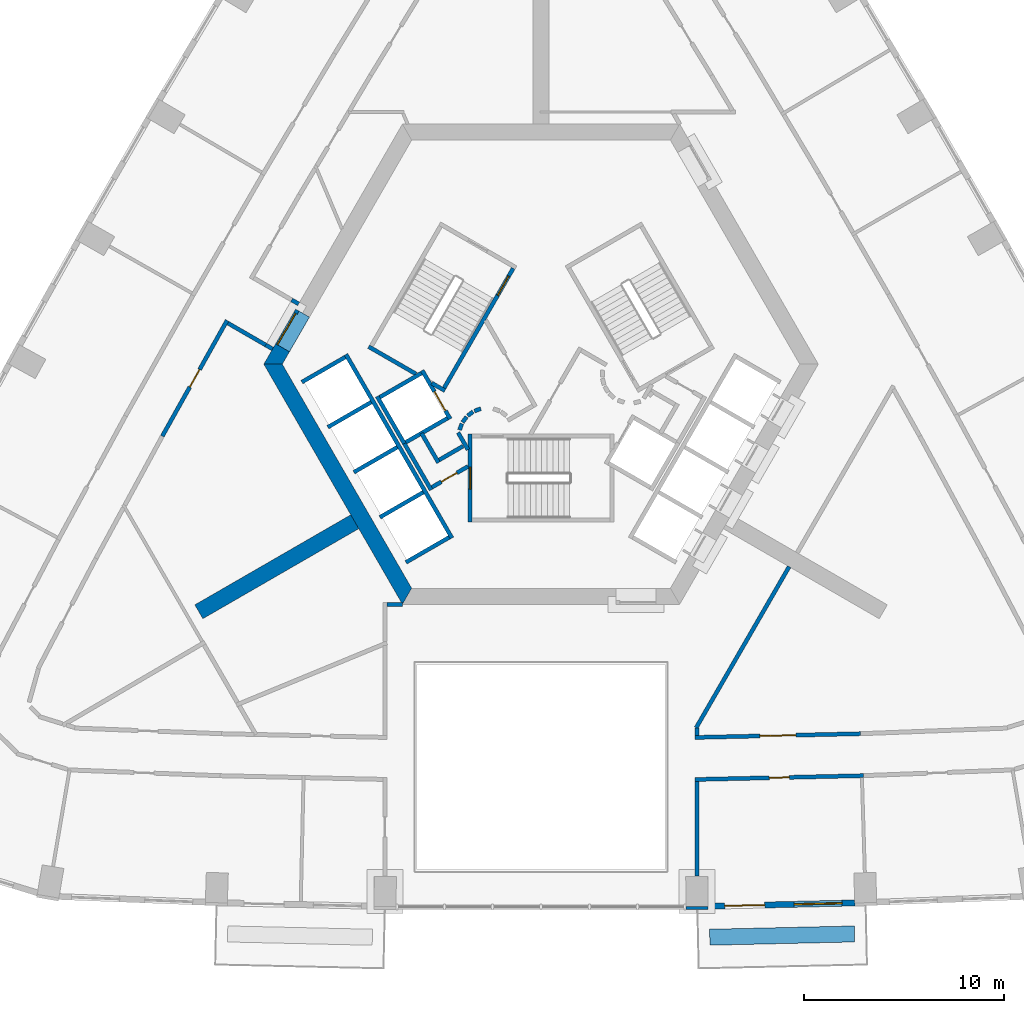
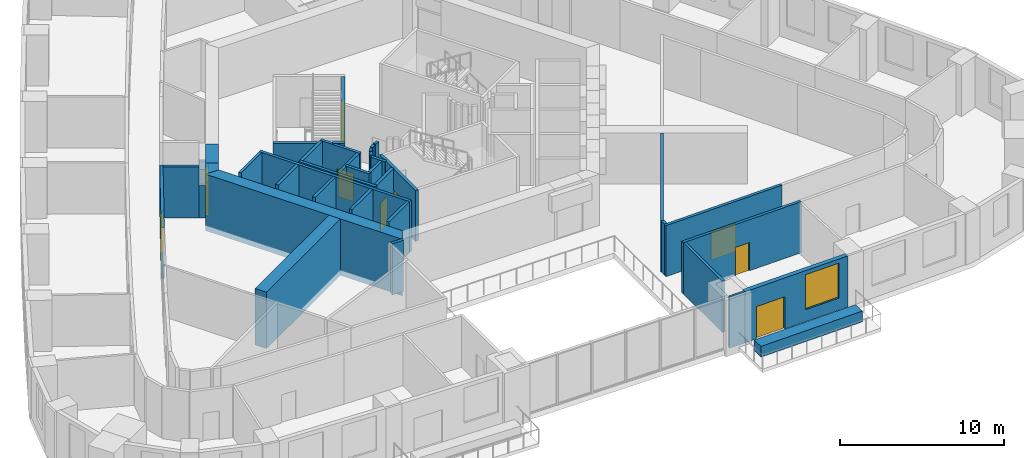
# One storey, part 5 of 12: 41 walls, 9 doors, 1 window, 10 openings.
"""IFC4 building model written with IfcOpenShell, lengths in metres."""

from ifc_helpers import new_model, si_unit, direction, frame, frame_2d, origin, place, context, subcontext, project, spatial, polyline, rectangle, outline, extrude, material, layer, layer_set, type_object, element, fill, save


model = new_model("IFC4")

# Units and contexts
model_context = context("Model", 3, precision=1e-05, world=origin(), true_north=direction((0.0, 1.0)))
body_context = subcontext(model_context, "Body", "Model", "MODEL_VIEW")
ifc_project = project(units=[si_unit("LENGTHUNIT", "METRE"), si_unit("AREAUNIT", "SQUARE_METRE"), si_unit("VOLUMEUNIT", "CUBIC_METRE"), si_unit("PLANEANGLEUNIT", "RADIAN"), si_unit("MASSUNIT", "GRAM", prefix="KILO")], contexts=[model_context])

# Site, building, storey
site_placement = place(None, origin())
site = spatial("IfcSite", under=ifc_project, at=site_placement, CompositionType="ELEMENT")
building_placement = place(site_placement, origin())
building = spatial("IfcBuilding", under=site, at=building_placement, Name="Entoto Arch Interchange Tower", CompositionType="ELEMENT")
storey_placement = place(building_placement, frame((0.0, 0.0, 155.0)))
storey = spatial("IfcBuildingStorey", under=building, at=storey_placement, Name="L34", CompositionType="ELEMENT", Elevation=155.0)

# Wall
ifc_material_1 = material(Name="Concrete C50/60", Category="concrete")
ifc_layer_1 = layer(ifc_material_1, 0.800048828125)
ifc_layer_set_1 = layer_set([ifc_layer_1], Name="Concrete C50/60")
wall_type_1 = type_object("IfcWallType", Name="Buttress wall 800 C50/60", PredefinedType="SHEAR", material=ifc_layer_set_1)
wall_1_placement = place(storey_placement, frame((-9.31005859375, -5.375, -0.39990234375), z_axis=(0.0, 0.0, 1.0), x_axis=(-0.866017533419, -0.500013631625, 0.0)))
element("IfcWall", 1, at=wall_1_placement, inside=storey, type_object=wall_type_1, Name="Buttress wall SW L34", PredefinedType="SHEAR", context=body_context, shape_type="SweptSolid", body=[
    extrude(rectangle(XDim=8.999755859375, YDim=0.800048828125, at=frame_2d((4.5, 0.0))), origin(), (0.0, 0.0, 1.0), 4.199951171875),
])

# Wall, opening, door
ifc_material_2 = material(Name="Reinforced concrete C40/50", Category="concrete")
ifc_layer_2 = layer(ifc_material_2, 0.199951171875)
ifc_layer_set_2 = layer_set([ifc_layer_2], Name="Reinforced concrete C40/50")
wall_type_2 = type_object("IfcWallType", Name="CORE GAP INFILL WALL", PredefinedType="PARTITIONING", material=ifc_layer_set_2)
wall_2_placement = place(storey_placement, frame((-12.179931640625, 5.201904296875, 0.0), z_axis=(0.0, 0.0, 1.0), x_axis=(-0.50002537861, -0.866010750942, 0.0)))
wall_2 = element("IfcWall", 2, at=wall_2_placement, inside=storey, type_object=wall_type_2, Name="wall:L34:gap3", PredefinedType="PARTITIONING", context=body_context, shape_type="SweptSolid", body=[
    extrude(rectangle(XDim=2.0, YDim=0.199951171875, at=frame_2d((1.0, 0.0))), origin(), (0.0, 0.0, 1.0), 2.39990234375),
])
opening_1_placement = place(wall_2_placement, frame((0.18994140625, 0.0, 0.0)))
opening_1 = element("IfcOpeningElement", 3, at=opening_1_placement, cuts=wall_2, Name="Opening L34-D93", PredefinedType="OPENING", context=body_context, shape_type="SweptSolid", body=[
    extrude(rectangle(XDim=1.800048828125, YDim=2.10009765625, at=frame_2d((0.89990234375, 1.050048828125))), frame((0.0, 0.10986328125, 0.0), z_axis=(0.0, -1.0, 0.0), x_axis=(1.0, 0.0, 0.0)), (0.0, 0.0, 1.0), 0.219970703125),
])
ifc_material_3 = material(Name="Fire-rated Steel S235 door and frame", Category="steel")
door_type_1 = type_object("IfcDoorType", Name="DOOR FD-18 1800x2100", OperationType="DOUBLE_DOOR_SINGLE_SWING", PredefinedType="DOOR", material=ifc_material_3)
door_1_placement = place(opening_1_placement, origin())
door_1 = element("IfcDoor", 4, at=door_1_placement, inside=storey, type_object=door_type_1, Name="door:L34:gap3", OperationType="DOUBLE_DOOR_SINGLE_SWING", OverallHeight=2.10009765625, OverallWidth=1.800048828125, PredefinedType="DOOR", context=body_context, shape_type="SweptSolid", body=[
    extrude(rectangle(XDim=1.800048828125, YDim=2.10009765625, at=frame_2d((0.89990234375, 1.050048828125))), frame((0.0, 0.02490234375, 0.0), z_axis=(0.0, -1.0, 0.0), x_axis=(1.0, 0.0, 0.0)), (0.0, 0.0, 1.0), 0.050048828125),
])
fill(opening_1, door_1)

# Walls
ifc_layer_3 = layer(ifc_material_1, 0.800048828125)
ifc_layer_set_3 = layer_set([ifc_layer_3], Name="Concrete C50/60")
wall_type_3 = type_object("IfcWallType", Name="Core wall 800 C50/60", PredefinedType="SHEAR", material=ifc_layer_set_3)
wall_3_placement = place(storey_placement, frame((0.0, 0.0, -0.39990234375)))
element("IfcWall", 5, at=wall_3_placement, inside=storey, type_object=wall_type_3, Name="Core wall NW L34", PredefinedType="SHEAR", context=body_context, shape_type="SweptSolid", body=[
    extrude(outline(polyline([(-12.574951171875, 3.1201171875), (-13.26708984375, 3.52001953125), (-13.85595703125, 2.5), (-12.93310546875, 2.5), (-12.574951171875, 3.1201171875)])), origin(), (0.0, 0.0, 1.0), 4.199951171875),
])
wall_4_placement = place(storey_placement, frame((0.0, 0.0, 3.60009765625)))
element("IfcWall", 6, at=wall_4_placement, inside=storey, type_object=wall_type_3, Name="Core wall lintel NW L34", PredefinedType="SHEAR", context=body_context, shape_type="SweptSolid", body=[
    extrude(outline(polyline([(-13.26708984375, 3.52001953125), (-12.574951171875, 3.1201171875), (-11.574951171875, 4.85205078125), (-12.26708984375, 5.251953125), (-13.26708984375, 3.52001953125)])), origin(), (0.0, 0.0, 1.0), 0.199951171875),
])
wall_5_placement = place(storey_placement, frame((0.0, 0.0, -0.39990234375)))
element("IfcWall", 7, at=wall_5_placement, inside=storey, type_object=wall_type_3, Name="Core wall SW L34", PredefinedType="SHEAR", context=body_context, shape_type="SweptSolid", body=[
    extrude(outline(polyline([(-13.85595703125, 2.5), (-6.927978515625, -9.5), (-6.466064453125, -8.699951171875), (-12.93310546875, 2.5), (-13.85595703125, 2.5)])), origin(), (0.0, 0.0, 1.0), 4.199951171875),
])

# Wall, opening, door
ifc_material_4 = material(Name="Concrete C40/50", Category="concrete")
ifc_layer_4 = layer(ifc_material_4, 0.199951171875)
ifc_layer_set_4 = layer_set([ifc_layer_4], Name="Concrete C40/50")
wall_type_4 = type_object("IfcWallType", Name="LIFT SHAFT WALL 200", PredefinedType="STANDARD", material=ifc_layer_set_4)
wall_6_placement = place(storey_placement, frame((-5.93994140625, 2.18798828125, 0.0), z_axis=(0.0, 0.0, 1.0), x_axis=(0.49994636267, -0.866056369097, 0.0)))
wall_6 = element("IfcWall", 8, at=wall_6_placement, inside=storey, type_object=wall_type_4, Name="Shaft wall SW1 front", PredefinedType="STANDARD", context=body_context, shape_type="SweptSolid", body=[
    extrude(rectangle(XDim=2.800048828125, YDim=0.199951171875, at=frame_2d((1.39990234375, 0.0))), origin(), (0.0, 0.0, 1.0), 3.800048828125),
])
opening_2_placement = place(wall_6_placement, frame((1.22509765625, 0.0, 0.0)))
opening_2 = element("IfcOpeningElement", 9, at=opening_2_placement, cuts=wall_6, Name="Opening LD-FF2-L34", PredefinedType="OPENING", context=body_context, shape_type="SweptSolid", body=[
    extrude(rectangle(XDim=1.10009765625, YDim=2.10009765625, at=frame_2d((0.550048828125, 1.050048828125))), frame((0.0, 0.10986328125, 0.0), z_axis=(0.0, -1.0, 0.0), x_axis=(1.0, 0.0, 0.0)), (0.0, 0.0, 1.0), 0.219970703125),
])
ifc_material_5 = material(Name="Stainless steel 1.4301 panels", Category="steel")
door_type_2 = type_object("IfcDoorType", Name="LIFT LANDING DOOR LD1 1100x2100", OperationType="SLIDING_TO_LEFT", PredefinedType="DOOR", material=ifc_material_5)
door_2_placement = place(opening_2_placement, origin())
door_2 = element("IfcDoor", 10, at=door_2_placement, inside=storey, type_object=door_type_2, Name="Lift landing door FF2 L34", OperationType="SLIDING_TO_LEFT", OverallHeight=2.10009765625, OverallWidth=1.10009765625, PredefinedType="DOOR", context=body_context, shape_type="SweptSolid", body=[
    extrude(rectangle(XDim=1.10009765625, YDim=2.10009765625, at=frame_2d((0.550048828125, 1.050048828125))), frame((0.0, 0.02490234375, 0.0), z_axis=(0.0, -1.0, 0.0), x_axis=(1.0, 0.0, 0.0)), (0.0, 0.0, 1.0), 0.050048828125),
])
fill(opening_2, door_2)

# Walls
wall_7_placement = place(storey_placement, frame((-8.19189453125, 0.887939453125, 0.0), z_axis=(0.0, 0.0, 1.0), x_axis=(0.49994636267, -0.866056369097, 0.0)))
element("IfcWall", 11, at=wall_7_placement, inside=storey, type_object=wall_type_4, Name="Shaft wall SW1 back", PredefinedType="STANDARD", context=body_context, shape_type="SweptSolid", body=[
    extrude(rectangle(XDim=2.800048828125, YDim=0.199951171875, at=frame_2d((1.39990234375, 0.0))), origin(), (0.0, 0.0, 1.0), 3.800048828125),
])
for number, where, z_axis, x_axis, name in (
    (12, (-5.97705078125, 2.052001953125, 0.0), (0.0, 0.0, 1.0), (-0.865973769406, -0.500089422704, 0.0), "Shaft wall SW1 cross 1"),
    (13, (-4.677001953125, -0.199951171875, 0.0), (0.0, 0.0, 1.0), (-0.865973769406, -0.500089422704, 0.0), "Shaft wall SW1 cross 2"),
):
    element("IfcWall", number, at=place(storey_placement, frame(where, z_axis=z_axis, x_axis=x_axis)), inside=storey, type_object=wall_type_4, Name=name, PredefinedType="STANDARD", context=body_context, shape_type="SweptSolid", body=[
        extrude(rectangle(XDim=2.3994140625, YDim=0.199951171875, at=frame_2d((1.19970703125, 0.0))), origin(), (0.0, 0.0, 1.0), 3.800048828125),
    ])
wall_8_placement = place(storey_placement, frame((-9.7509765625, 2.989990234375, 0.0), z_axis=(0.0, 0.0, 1.0), x_axis=(0.50000090737, -0.866024879913, 0.0)))
element("IfcWall", 14, at=wall_8_placement, inside=storey, type_object=wall_type_4, Name="Shaft wall SW3 front", PredefinedType="STANDARD", context=body_context, shape_type="SweptSolid", body=[
    extrude(rectangle(XDim=10.60009765625, YDim=0.199951171875, at=frame_2d((5.300048828125, 0.0))), origin(), (0.0, 0.0, 1.0), 3.800048828125),
])
wall_9_placement = place(storey_placement, frame((-9.7880859375, 2.85302734375, 0.0), z_axis=(0.0, 0.0, 1.0), x_axis=(-0.865998541277, -0.500046524342, 0.0)))
element("IfcWall", 15, at=wall_9_placement, inside=storey, type_object=wall_type_4, Name="Shaft wall SW3 cross 1", PredefinedType="STANDARD", context=body_context, shape_type="SweptSolid", body=[
    extrude(rectangle(XDim=2.499755859375, YDim=0.199951171875, at=frame_2d((1.25, 0.0))), origin(), (0.0, 0.0, 1.0), 3.800048828125),
])
for number, where, z_axis, x_axis, name in (
    (16, (-8.488037109375, 0.60205078125, 0.0), (0.0, 0.0, 1.0), (-0.866022959057, -0.500004234368, 0.0), "Shaft wall SW3 cross 2"),
    (17, (-7.18798828125, -1.64990234375, 0.0), (0.0, 0.0, 1.0), (-0.866022959057, -0.500004234368, 0.0), "Shaft wall SW3 cross 3"),
    (18, (-5.887939453125, -3.902099609375, 0.0), (0.0, 0.0, 1.0), (-0.866022959057, -0.500004234368, 0.0), "Shaft wall SW3 cross 4"),
    (19, (-4.587890625, -6.153076171875, 0.0), (0.0, 0.0, 1.0), (-0.866022959057, -0.500004234368, 0.0), "Shaft wall SW3 cross 5"),
):
    element("IfcWall", number, at=place(storey_placement, frame(where, z_axis=z_axis, x_axis=x_axis)), inside=storey, type_object=wall_type_4, Name=name, PredefinedType="STANDARD", context=body_context, shape_type="SweptSolid", body=[
        extrude(rectangle(XDim=2.5, YDim=0.199951171875, at=frame_2d((1.25, 0.0))), origin(), (0.0, 0.0, 1.0), 3.800048828125),
    ])

# Wall, opening, door
ifc_material_6 = material(Name="Gypsum board partition on steel studs", Category="steel")
ifc_layer_5 = layer(ifc_material_6, 0.199951171875)
ifc_layer_set_5 = layer_set([ifc_layer_5], Name="Gypsum board partition on steel studs")
wall_type_5 = type_object("IfcWallType", Name="PARTITION 200", PredefinedType="PARTITIONING", material=ifc_layer_set_5)
wall_10_placement = place(storey_placement, frame((7.699951171875, -16.156982421875, 0.0), z_axis=(0.0, 0.0, 1.0), x_axis=(0.999744539931, 0.022602098978, 0.0)))
wall_10 = element("IfcWall", 20, at=wall_10_placement, inside=storey, type_object=wall_type_5, Name="wall:L34:p020", PredefinedType="PARTITIONING", context=body_context, shape_type="SweptSolid", body=[
    extrude(rectangle(XDim=8.274169921875, YDim=0.199951171875, at=frame_2d((4.13720703125, 0.0))), origin(), (0.0, 0.0, 1.0), 3.800048828125),
])
opening_3_placement = place(wall_10_placement, frame((3.237060546875, 0.0, 0.0)))
opening_3 = element("IfcOpeningElement", 21, at=opening_3_placement, cuts=wall_10, Name="Opening L34-D18", PredefinedType="OPENING", context=body_context, shape_type="SweptSolid", body=[
    extrude(rectangle(XDim=1.800048828125, YDim=2.10009765625, at=frame_2d((0.89990234375, 1.050048828125))), frame((0.0, 0.10986328125, 0.0), z_axis=(0.0, -1.0, 0.0), x_axis=(1.0, 0.0, 0.0)), (0.0, 0.0, 1.0), 0.219970703125),
])
ifc_material_7 = material(Name="Timber door leaf in Steel S235 frame", Category="steel")
door_type_3 = type_object("IfcDoorType", Name="DOOR DD-18 1800x2100", OperationType="DOUBLE_DOOR_SINGLE_SWING", PredefinedType="DOOR", material=ifc_material_7)
door_3_placement = place(opening_3_placement, origin())
door_3 = element("IfcDoor", 22, at=door_3_placement, inside=storey, type_object=door_type_3, Name="door:L34:18", OperationType="DOUBLE_DOOR_SINGLE_SWING", OverallHeight=2.10009765625, OverallWidth=1.800048828125, PredefinedType="DOOR", context=body_context, shape_type="SweptSolid", body=[
    extrude(rectangle(XDim=1.800048828125, YDim=2.10009765625, at=frame_2d((0.89990234375, 1.050048828125))), frame((0.0, 0.02490234375, 0.0), z_axis=(0.0, -1.0, 0.0), x_axis=(1.0, 0.0, 0.0)), (0.0, 0.0, 1.0), 0.050048828125),
])
fill(opening_3, door_3)

# Wall
wall_11_placement = place(storey_placement, frame((-13.4169921875, 3.260009765625, 0.0), z_axis=(0.0, 0.0, 1.0), x_axis=(-0.866398669086, 0.499352927503, 0.0)))
element("IfcWall", 23, at=wall_11_placement, inside=storey, type_object=wall_type_5, Name="wall:L34:p029", PredefinedType="PARTITIONING", context=body_context, shape_type="SweptSolid", body=[
    extrude(rectangle(XDim=0.400390625, YDim=0.199951171875, at=frame_2d((0.2001953125, 0.0))), origin(), (0.0, 0.0, 1.0), 2.39990234375),
])

# Wall, opening, door
wall_12_placement = place(storey_placement, frame((-15.69189453125, 4.68896484375, 0.0), z_axis=(0.0, 0.0, 1.0), x_axis=(-0.48849233301, -0.872568186786, 0.0)))
wall_12 = element("IfcWall", 24, at=wall_12_placement, inside=storey, type_object=wall_type_5, Name="wall:L34:p030", PredefinedType="PARTITIONING", context=body_context, shape_type="SweptSolid", body=[
    extrude(rectangle(XDim=6.628662109375, YDim=0.199951171875, at=frame_2d((3.314453125, 0.0))), origin(), (0.0, 0.0, 1.0), 3.800048828125),
])
opening_4_placement = place(wall_12_placement, frame((2.81396484375, 0.0, 0.0)))
opening_4 = element("IfcOpeningElement", 25, at=opening_4_placement, cuts=wall_12, Name="Opening L34-D24", PredefinedType="OPENING", context=body_context, shape_type="SweptSolid", body=[
    extrude(rectangle(XDim=1.0, YDim=2.10009765625, at=frame_2d((0.5, 1.050048828125))), frame((0.0, 0.10986328125, 0.0), z_axis=(0.0, -1.0, 0.0), x_axis=(1.0, 0.0, 0.0)), (0.0, 0.0, 1.0), 0.219970703125),
])
door_type_4 = type_object("IfcDoorType", Name="DOOR DS-10 1000x2100", OperationType="SINGLE_SWING_LEFT", PredefinedType="DOOR", material=ifc_material_7)
door_4_placement = place(opening_4_placement, origin())
door_4 = element("IfcDoor", 26, at=door_4_placement, inside=storey, type_object=door_type_4, Name="door:L34:24", OperationType="SINGLE_SWING_LEFT", OverallHeight=2.10009765625, OverallWidth=1.0, PredefinedType="DOOR", context=body_context, shape_type="SweptSolid", body=[
    extrude(rectangle(XDim=1.0, YDim=2.10009765625, at=frame_2d((0.5, 1.050048828125))), frame((0.0, 0.02490234375, 0.0), z_axis=(0.0, -1.0, 0.0), x_axis=(1.0, 0.0, 0.0)), (0.0, 0.0, 1.0), 0.050048828125),
])
fill(opening_4, door_4)

wall_13_placement = place(storey_placement, frame((16.111083984375, -18.06689453125, 0.0), z_axis=(0.0, 0.0, 1.0), x_axis=(-0.999741835545, -0.022721405353, 0.0)))
wall_13 = element("IfcWall", 27, at=wall_13_placement, inside=storey, type_object=wall_type_5, Name="wall:L34:p040", PredefinedType="PARTITIONING", context=body_context, shape_type="SweptSolid", body=[
    extrude(rectangle(XDim=8.413330078125, YDim=0.199951171875, at=frame_2d((4.20654296875, 0.0))), origin(), (0.0, 0.0, 1.0), 3.800048828125),
])
opening_5_placement = place(wall_13_placement, frame((3.7060546875, 0.0, 0.0)))
opening_5 = element("IfcOpeningElement", 28, at=opening_5_placement, cuts=wall_13, Name="Opening L34-D01", PredefinedType="OPENING", context=body_context, shape_type="SweptSolid", body=[
    extrude(rectangle(XDim=1.0, YDim=2.10009765625, at=frame_2d((0.5, 1.050048828125))), frame((0.0, 0.10986328125, 0.0), z_axis=(0.0, -1.0, 0.0), x_axis=(1.0, 0.0, 0.0)), (0.0, 0.0, 1.0), 0.219970703125),
])
door_5_placement = place(opening_5_placement, origin())
door_5 = element("IfcDoor", 29, at=door_5_placement, inside=storey, type_object=door_type_4, Name="door:L34:01", OperationType="SINGLE_SWING_RIGHT", OverallHeight=2.10009765625, OverallWidth=1.0, PredefinedType="DOOR", context=body_context, shape_type="SweptSolid", body=[
    extrude(rectangle(XDim=1.0, YDim=2.10009765625, at=frame_2d((0.5, 1.050048828125))), frame((0.0, 0.02490234375, 0.0), z_axis=(0.0, -1.0, 0.0), x_axis=(1.0, 0.0, 0.0)), (0.0, 0.0, 1.0), 0.050048828125),
])
fill(opening_5, door_5)

# Walls
wall_14_placement = place(storey_placement, frame((-3.89990234375, -1.59912109375, 0.0), z_axis=(0.0, 0.0, 1.0), x_axis=(-0.865969445389, -0.500096910261, 0.0)))
element("IfcWall", 30, at=wall_14_placement, inside=storey, type_object=wall_type_5, Name="wall:L34:p080", PredefinedType="PARTITIONING", context=body_context, shape_type="SweptSolid", body=[
    extrude(rectangle(XDim=1.373291015625, YDim=0.199951171875, at=frame_2d((0.6865234375, 0.0))), origin(), (0.0, 0.0, 1.0), 3.800048828125),
])
wall_15_placement = place(storey_placement, frame((-5.1259765625, -2.422119140625, 0.0), z_axis=(0.0, 0.0, 1.0), x_axis=(-0.500062241894, 0.865989465428, 0.0)))
element("IfcWall", 31, at=wall_15_placement, inside=storey, type_object=wall_type_5, Name="wall:L34:p081", PredefinedType="PARTITIONING", context=body_context, shape_type="SweptSolid", body=[
    extrude(rectangle(XDim=1.699951171875, YDim=0.199951171875, at=frame_2d((0.85009765625, 0.0))), origin(), (0.0, 0.0, 1.0), 3.800048828125),
])

# Wall, opening, door
wall_16_placement = place(storey_placement, frame((-3.64990234375, -2.610107421875, 0.0), z_axis=(0.0, 0.0, 1.0), x_axis=(-0.866072462134, -0.499918483688, 0.0)))
wall_16 = element("IfcWall", 32, at=wall_16_placement, inside=storey, type_object=wall_type_5, Name="wall:L34:p082", PredefinedType="PARTITIONING", context=body_context, shape_type="SweptSolid", body=[
    extrude(rectangle(XDim=2.084228515625, YDim=0.199951171875, at=frame_2d((1.0419921875, 0.0))), origin(), (0.0, 0.0, 1.0), 3.800048828125),
])
opening_6_placement = place(wall_16_placement, frame((0.64208984375, 0.0, 0.0)))
opening_6 = element("IfcOpeningElement", 33, at=opening_6_placement, cuts=wall_16, Name="Opening L34-D33", PredefinedType="OPENING", context=body_context, shape_type="SweptSolid", body=[
    extrude(rectangle(XDim=0.89990234375, YDim=2.10009765625, at=frame_2d((0.449951171875, 1.050048828125))), frame((0.0, 0.10986328125, 0.0), z_axis=(0.0, -1.0, 0.0), x_axis=(1.0, 0.0, 0.0)), (0.0, 0.0, 1.0), 0.219970703125),
])
door_type_5 = type_object("IfcDoorType", Name="DOOR DS-09 900x2100", OperationType="SINGLE_SWING_LEFT", PredefinedType="DOOR", material=ifc_material_7)
door_6_placement = place(opening_6_placement, origin())
door_6 = element("IfcDoor", 34, at=door_6_placement, inside=storey, type_object=door_type_5, Name="door:L34:33", OperationType="SINGLE_SWING_LEFT", OverallHeight=2.10009765625, OverallWidth=0.89990234375, PredefinedType="DOOR", context=body_context, shape_type="SweptSolid", body=[
    extrude(rectangle(XDim=0.89990234375, YDim=2.10009765625, at=frame_2d((0.449951171875, 1.050048828125))), frame((0.0, 0.02490234375, 0.0), z_axis=(0.0, -1.0, 0.0), x_axis=(1.0, 0.0, 0.0)), (0.0, 0.0, 1.0), 0.050048828125),
])
fill(opening_6, door_6)

# Walls
wall_17_placement = place(storey_placement, frame((-5.491943359375, -3.7880859375, 0.0), z_axis=(0.0, 0.0, 1.0), x_axis=(-0.500008949224, 0.866020236886, 0.0)))
element("IfcWall", 35, at=wall_17_placement, inside=storey, type_object=wall_type_5, Name="wall:L34:p083", PredefinedType="PARTITIONING", context=body_context, shape_type="SweptSolid", body=[
    extrude(rectangle(XDim=2.68017578125, YDim=0.199951171875, at=frame_2d((1.340087890625, 0.0))), origin(), (0.0, 0.0, 1.0), 3.800048828125),
])
wall_18_placement = place(storey_placement, frame((-4.14501953125, -0.919921875, 0.0), z_axis=(0.0, 0.0, 1.0), x_axis=(0.499743786207, -0.866173278362, 0.0)))
element("IfcWall", 36, at=wall_18_placement, inside=storey, type_object=wall_type_5, Name="wall:L34:p084", PredefinedType="PARTITIONING", context=body_context, shape_type="SweptSolid", body=[
    extrude(rectangle(XDim=0.99072265625, YDim=0.199951171875, at=frame_2d((0.495361328125, 0.0))), origin(), (0.0, 0.0, 1.0), 3.800048828125),
])
wall_19_placement = place(storey_placement, frame((-3.011962890625, 0.27294921875, 0.0), z_axis=(0.0, 0.0, 1.0), x_axis=(-0.942280615813, -0.334824194261, 0.0)))
element("IfcWall", 37, at=wall_19_placement, inside=storey, type_object=wall_type_5, Name="wall:L34:p100", PredefinedType="PARTITIONING", context=body_context, shape_type="SweptSolid", body=[
    extrude(rectangle(XDim=0.337646484375, YDim=0.199951171875, at=frame_2d((0.1689453125, 0.0))), origin(), (0.0, 0.0, 1.0), 3.800048828125),
])
wall_20_placement = place(storey_placement, frame((-3.39697265625, 0.1240234375, 0.0), z_axis=(0.0, 0.0, 1.0), x_axis=(-0.804311165252, -0.594208338422, 0.0)))
element("IfcWall", 38, at=wall_20_placement, inside=storey, type_object=wall_type_5, Name="wall:L34:p101", PredefinedType="PARTITIONING", context=body_context, shape_type="SweptSolid", body=[
    extrude(rectangle(XDim=0.338134765625, YDim=0.199951171875, at=frame_2d((0.1689453125, 0.0))), origin(), (0.0, 0.0, 1.0), 3.800048828125),
])
wall_21_placement = place(storey_placement, frame((-3.722900390625, -0.131103515625, 0.0), z_axis=(0.0, 0.0, 1.0), x_axis=(-0.594675113454, -0.803966112121, 0.0)))
element("IfcWall", 39, at=wall_21_placement, inside=storey, type_object=wall_type_5, Name="wall:L34:p102", PredefinedType="PARTITIONING", context=body_context, shape_type="SweptSolid", body=[
    extrude(rectangle(XDim=0.33837890625, YDim=0.199951171875, at=frame_2d((0.169189453125, 0.0))), origin(), (0.0, 0.0, 1.0), 3.800048828125),
])
wall_22_placement = place(storey_placement, frame((-3.9599609375, -0.469970703125, 0.0), z_axis=(0.0, 0.0, 1.0), x_axis=(-0.334824194261, -0.942280615813, 0.0)))
element("IfcWall", 40, at=wall_22_placement, inside=storey, type_object=wall_type_5, Name="wall:L34:p103", PredefinedType="PARTITIONING", context=body_context, shape_type="SweptSolid", body=[
    extrude(rectangle(XDim=0.337646484375, YDim=0.199951171875, at=frame_2d((0.1689453125, 0.0))), origin(), (0.0, 0.0, 1.0), 3.800048828125),
])
wall_23_placement = place(storey_placement, frame((7.800048828125, -15.68994140625, 0.0), z_axis=(0.0, 0.0, 1.0), x_axis=(0.0, -1.0, 0.0)))
element("IfcWall", 41, at=wall_23_placement, inside=storey, type_object=wall_type_5, Name="wall:L34:p104", PredefinedType="PARTITIONING", context=body_context, shape_type="SweptSolid", body=[
    extrude(rectangle(XDim=0.364990234375, YDim=0.199951171875, at=frame_2d((0.1826171875, 0.0))), origin(), (0.0, 0.0, 1.0), 3.800048828125),
])
wall_24_placement = place(storey_placement, frame((-7.699951171875, -9.4990234375, 0.0), z_axis=(0.0, 0.0, 1.0), x_axis=(1.0, 0.0, 0.0)))
element("IfcWall", 42, at=wall_24_placement, inside=storey, type_object=wall_type_5, Name="wall:L34:p106", PredefinedType="PARTITIONING", context=body_context, shape_type="SweptSolid", body=[
    extrude(rectangle(XDim=0.77099609375, YDim=0.199951171875, at=frame_2d((0.385498046875, 0.0))), origin(), (0.0, 0.0, 1.0), 3.800048828125),
])
wall_25_placement = place(storey_placement, frame((7.800048828125, -18.35498046875, 0.0), z_axis=(0.0, 0.0, 1.0), x_axis=(0.0, -1.0, 0.0)))
element("IfcWall", 43, at=wall_25_placement, inside=storey, type_object=wall_type_5, Name="wall:L34:p108", PredefinedType="PARTITIONING", context=body_context, shape_type="SweptSolid", body=[
    extrude(rectangle(XDim=4.73193359375, YDim=0.199951171875, at=frame_2d((2.365966796875, 0.0))), origin(), (0.0, 0.0, 1.0), 3.800048828125),
])
wall_26_placement = place(storey_placement, frame((12.40087890625, -7.62109375, 0.0), z_axis=(0.0, 0.0, 1.0), x_axis=(-0.499983724212, -0.866034800411, 0.0)))
element("IfcWall", 44, at=wall_26_placement, inside=storey, type_object=wall_type_5, Name="wall:L34:p110", PredefinedType="PARTITIONING", context=body_context, shape_type="SweptSolid", body=[
    extrude(rectangle(XDim=9.302001953125, YDim=0.199951171875, at=frame_2d((4.65087890625, 0.0))), origin(), (0.0, 0.0, 1.0), 3.800048828125),
])
wall_27_placement = place(storey_placement, frame((-12.462890625, 5.7119140625, 0.0), z_axis=(0.0, 0.0, 1.0), x_axis=(0.865788603161, -0.500409926597, 0.0)))
element("IfcWall", 45, at=wall_27_placement, inside=storey, type_object=wall_type_5, Name="wall:L34:p004", PredefinedType="PARTITIONING", context=body_context, shape_type="SweptSolid", body=[
    extrude(rectangle(XDim=0.399658203125, YDim=0.199951171875, at=frame_2d((0.19970703125, 0.0))), origin(), (0.0, 0.0, 1.0), 2.39990234375),
])
wall_28_placement = place(storey_placement, frame((-13.763916015625, 3.4599609375, 0.0), z_axis=(0.0, 0.0, 1.0), x_axis=(-0.865872609263, 0.500264554538, 0.0)))
element("IfcWall", 46, at=wall_28_placement, inside=storey, type_object=wall_type_5, Name="wall:L34:p029", PredefinedType="PARTITIONING", context=body_context, shape_type="SweptSolid", body=[
    extrude(rectangle(XDim=2.182861328125, YDim=0.199951171875, at=frame_2d((1.09130859375, 0.0))), origin(), (0.0, 0.0, 1.0), 3.800048828125),
])
ifc_material_8 = material(Name="Board-marked precast concrete C50/60", Category="concrete")
ifc_layer_6 = layer(ifc_material_8, 0.800048828125)
ifc_layer_set_6 = layer_set([ifc_layer_6], Name="Board-marked precast concrete C50/60")
wall_type_6 = type_object("IfcWallType", Name="PLANTER RC 800 Juniperus procera", PredefinedType="STANDARD", material=ifc_layer_set_6)
wall_29_placement = place(storey_placement, frame((8.431884765625, -26.14306640625, 0.0), z_axis=(0.0, 0.0, 1.0), x_axis=(0.999742931749, 0.02267312106, 0.0)))
element("IfcWall", 47, at=wall_29_placement, inside=storey, type_object=wall_type_6, Name="Planter S-04 L34", PredefinedType="STANDARD", context=body_context, shape_type="SweptSolid", body=[
    extrude(rectangle(XDim=7.236083984375, YDim=0.800048828125, at=frame_2d((3.6181640625, 0.0))), origin(), (0.0, 0.0, 1.0), 0.800048828125),
])

# Wall, opening, door
ifc_layer_7 = layer(ifc_material_4, 0.199951171875)
ifc_layer_set_7 = layer_set([ifc_layer_7], Name="Concrete C40/50")
wall_type_7 = type_object("IfcWallType", Name="STAIR ENCLOSURE WALL 200", PredefinedType="STANDARD", material=ifc_layer_set_7)
wall_30_placement = place(storey_placement, frame((-3.550048828125, -1.0, 0.0), z_axis=(0.0, 0.0, 1.0), x_axis=(0.0, -1.0, 0.0)))
wall_30 = element("IfcWall", 48, at=wall_30_placement, inside=storey, type_object=wall_type_7, Name="Stair wall ST-S near", PredefinedType="STANDARD", context=body_context, shape_type="SweptSolid", body=[
    extrude(rectangle(XDim=4.39990234375, YDim=0.199951171875, at=frame_2d((2.199951171875, 0.0))), origin(), (0.0, 0.0, 1.0), 3.800048828125),
])
opening_7_placement = place(wall_30_placement, frame((1.64990234375, 0.0, 0.0)))
opening_7 = element("IfcOpeningElement", 49, at=opening_7_placement, cuts=wall_30, Name="Opening SD-ST-S-L34-E", PredefinedType="OPENING", context=body_context, shape_type="SweptSolid", body=[
    extrude(rectangle(XDim=1.10009765625, YDim=2.199951171875, at=frame_2d((0.550048828125, 1.10009765625))), frame((0.0, 0.10986328125, 0.0), z_axis=(0.0, -1.0, 0.0), x_axis=(1.0, 0.0, 0.0)), (0.0, 0.0, 1.0), 0.219970703125),
])
ifc_material_9 = material(Name="Steel S235", Category="steel")
door_type_6 = type_object("IfcDoorType", Name="STAIR DOOR SD1 1100x2200", OperationType="SINGLE_SWING_LEFT", PredefinedType="DOOR", material=ifc_material_9)
door_7_placement = place(opening_7_placement, origin())
door_7 = element("IfcDoor", 50, at=door_7_placement, inside=storey, type_object=door_type_6, Name="Stair door ST-S L34 end", OperationType="SINGLE_SWING_LEFT", OverallHeight=2.199951171875, OverallWidth=1.10009765625, PredefinedType="DOOR", context=body_context, shape_type="SweptSolid", body=[
    extrude(rectangle(XDim=1.10009765625, YDim=2.199951171875, at=frame_2d((0.550048828125, 1.10009765625))), frame((0.0, 0.02490234375, 0.0), z_axis=(0.0, -1.0, 0.0), x_axis=(1.0, 0.0, 0.0)), (0.0, 0.0, 1.0), 0.050048828125),
])
fill(opening_7, door_7)

# Walls
wall_31_placement = place(storey_placement, frame((-6.25, 2.010009765625, 0.0), z_axis=(0.0, 0.0, 1.0), x_axis=(-0.86611865017, 0.499838457731, 0.0)))
element("IfcWall", 51, at=wall_31_placement, inside=storey, type_object=wall_type_7, Name="Stair wall ST-NW far", PredefinedType="STANDARD", context=body_context, shape_type="SweptSolid", body=[
    extrude(rectangle(XDim=2.73291015625, YDim=0.199951171875, at=frame_2d((1.366455078125, 0.0))), origin(), (0.0, 0.0, 1.0), 3.800048828125),
])
wall_32_placement = place(storey_placement, frame((-4.805908203125, 1.176025390625, 0.0), z_axis=(0.0, 0.0, 1.0), x_axis=(-0.866558586415, 0.499075361355, 0.0)))
element("IfcWall", 52, at=wall_32_placement, inside=storey, type_object=wall_type_7, Name="Stair wall ST-NW far return", PredefinedType="STANDARD", context=body_context, shape_type="SweptSolid", body=[
    extrude(rectangle(XDim=0.75146484375, YDim=0.199951171875, at=frame_2d((0.375732421875, 0.0))), origin(), (0.0, 0.0, 1.0), 3.800048828125),
])

# Wall, opening, door
wall_33_placement = place(storey_placement, frame((-1.39306640625, 7.2880859375, 0.0), z_axis=(0.0, 0.0, 1.0), x_axis=(-0.499963383562, -0.866046543262, 0.0)))
wall_33 = element("IfcWall", 53, at=wall_33_placement, inside=storey, type_object=wall_type_7, Name="Stair wall ST-NW hall", PredefinedType="STANDARD", context=body_context, shape_type="SweptSolid", body=[
    extrude(rectangle(XDim=6.900390625, YDim=0.199951171875, at=frame_2d((3.4501953125, 0.0))), origin(), (0.0, 0.0, 1.0), 3.800048828125),
])
opening_8_placement = place(wall_33_placement, frame((0.449951171875, 0.0, 0.0)))
opening_8 = element("IfcOpeningElement", 54, at=opening_8_placement, cuts=wall_33, Name="Opening SD-ST-NW-L34", PredefinedType="OPENING", context=body_context, shape_type="SweptSolid", body=[
    extrude(rectangle(XDim=1.10009765625, YDim=2.199951171875, at=frame_2d((0.550048828125, 1.10009765625))), frame((0.0, 0.10986328125, 0.0), z_axis=(0.0, -1.0, 0.0), x_axis=(1.0, 0.0, 0.0)), (0.0, 0.0, 1.0), 0.219970703125),
])
door_8_placement = place(opening_8_placement, origin())
door_8 = element("IfcDoor", 55, at=door_8_placement, inside=storey, type_object=door_type_6, Name="Stair door ST-NW L34", OperationType="SINGLE_SWING_LEFT", OverallHeight=2.199951171875, OverallWidth=1.10009765625, PredefinedType="DOOR", context=body_context, shape_type="SweptSolid", body=[
    extrude(rectangle(XDim=1.10009765625, YDim=2.199951171875, at=frame_2d((0.550048828125, 1.10009765625))), frame((0.0, 0.02490234375, 0.0), z_axis=(0.0, -1.0, 0.0), x_axis=(1.0, 0.0, 0.0)), (0.0, 0.0, 1.0), 0.050048828125),
])
fill(opening_8, door_8)

# Wall, openings, door, window
ifc_material_10 = material(Name="Welded tuff (ignimbrite) cladding, warm buff", Category="masonry")
ifc_layer_8 = layer(ifc_material_10, 0.300048828125)
ifc_layer_set_8 = layer_set([ifc_layer_8], Name="Welded tuff (ignimbrite) cladding, warm buff")
wall_type_8 = type_object("IfcWallType", Name="STONE INFILL WALL 300", PredefinedType="STANDARD", material=ifc_layer_set_8)
wall_34_placement = place(storey_placement, frame((8.346923828125, -24.594970703125, 0.0), z_axis=(0.0, 0.0, 1.0), x_axis=(0.999743825009, 0.022633699594, 0.0)))
wall_34 = element("IfcWall", 56, at=wall_34_placement, inside=storey, type_object=wall_type_8, Name="Facade wall S-04 L34", PredefinedType="STANDARD", context=body_context, shape_type="SweptSolid", body=[
    extrude(rectangle(XDim=7.3349609375, YDim=0.300048828125, at=frame_2d((3.66748046875, 0.0))), origin(), (0.0, 0.0, 1.0), 3.800048828125),
])
opening_9_placement = place(wall_34_placement, frame((0.833984375, 0.0, 0.0)))
opening_9 = element("IfcOpeningElement", 57, at=opening_9_placement, cuts=wall_34, Name="Opening DB-S-04-L34", PredefinedType="OPENING", context=body_context, shape_type="SweptSolid", body=[
    extrude(rectangle(XDim=2.0, YDim=2.39990234375, at=frame_2d((1.0, 1.199951171875))), frame((0.0, 0.16015625, 0.0), z_axis=(0.0, -1.0, 0.0), x_axis=(1.0, 0.0, 0.0)), (0.0, 0.0, 1.0), 0.320068359375),
])
opening_10_placement = place(wall_34_placement, frame((4.301025390625, 0.0, 0.89990234375)))
opening_10 = element("IfcOpeningElement", 58, at=opening_10_placement, cuts=wall_34, Name="Opening WO-A", PredefinedType="OPENING", context=body_context, shape_type="SweptSolid", body=[
    extrude(rectangle(XDim=2.39990234375, YDim=2.60009765625, at=frame_2d((1.199951171875, 1.300048828125))), frame((0.0, 0.16015625, 0.0), z_axis=(0.0, -1.0, 0.0), x_axis=(1.0, 0.0, 0.0)), (0.0, 0.0, 1.0), 0.320068359375),
])
ifc_material_11 = material(Name="Aluminium and clear glass, anodised", Category="aluminium")
door_type_7 = type_object("IfcDoorType", Name="BALCONY DOOR DB 2000x2400", OperationType="SLIDING_TO_LEFT", PredefinedType="DOOR", material=ifc_material_11)
door_9_placement = place(opening_9_placement, origin())
door_9 = element("IfcDoor", 59, at=door_9_placement, inside=storey, type_object=door_type_7, Name="Balcony door S-04 L34", OperationType="SLIDING_TO_LEFT", OverallHeight=2.39990234375, OverallWidth=2.0, PredefinedType="DOOR", context=body_context, shape_type="SweptSolid", body=[
    extrude(rectangle(XDim=2.0, YDim=2.39990234375, at=frame_2d((1.0, 1.199951171875))), frame((0.0, 0.02490234375, 0.0), z_axis=(0.0, -1.0, 0.0), x_axis=(1.0, 0.0, 0.0)), (0.0, 0.0, 1.0), 0.050048828125),
])
fill(opening_9, door_9)
ifc_material_12 = material(Name="Clear glass, low-e double glazed", Category="glass")
window_type = type_object("IfcWindowType", Name="WINDOW WO-A 2400x2600", PartitioningType="DOUBLE_PANEL_VERTICAL", PredefinedType="WINDOW", material=ifc_material_12)
window_placement = place(opening_10_placement, origin())
window = element("IfcWindow", 60, at=window_placement, inside=storey, type_object=window_type, Name="Window WO-A S-04 L34", OverallHeight=2.60009765625, OverallWidth=2.39990234375, PartitioningType="SINGLE_PANEL", PredefinedType="WINDOW", context=body_context, shape_type="SweptSolid", body=[
    extrude(rectangle(XDim=2.39990234375, YDim=2.60009765625, at=frame_2d((1.199951171875, 1.300048828125))), frame((0.0, 0.030029296875, 0.0), z_axis=(0.0, -1.0, 0.0), x_axis=(1.0, 0.0, 0.0)), (0.0, 0.0, 1.0), 0.06005859375),
])
fill(opening_10, window)

# Wall
ifc_layer_9 = layer(ifc_material_10, 0.14990234375)
ifc_layer_set_9 = layer_set([ifc_layer_9], Name="Welded tuff (ignimbrite) cladding, warm buff")
wall_type_9 = type_object("IfcWallType", Name="STONE PIER CLADDING 150", PredefinedType="STANDARD", material=ifc_layer_set_9)
wall_35_placement = place(storey_placement, frame((7.2490234375, -24.68798828125, 0.0), z_axis=(0.0, 0.0, 1.0), x_axis=(0.999940879068, 0.010873746799, 0.0)))
element("IfcWall", 61, at=wall_35_placement, inside=storey, type_object=wall_type_9, Name="Stone pier S04 L34", PredefinedType="STANDARD", context=body_context, shape_type="SweptSolid", body=[
    extrude(rectangle(XDim=1.10009765625, YDim=0.14990234375, at=frame_2d((0.550048828125, 0.0))), origin(), (0.0, 0.0, 1.0), 3.800048828125),
])

save(model, "model.ifc")
